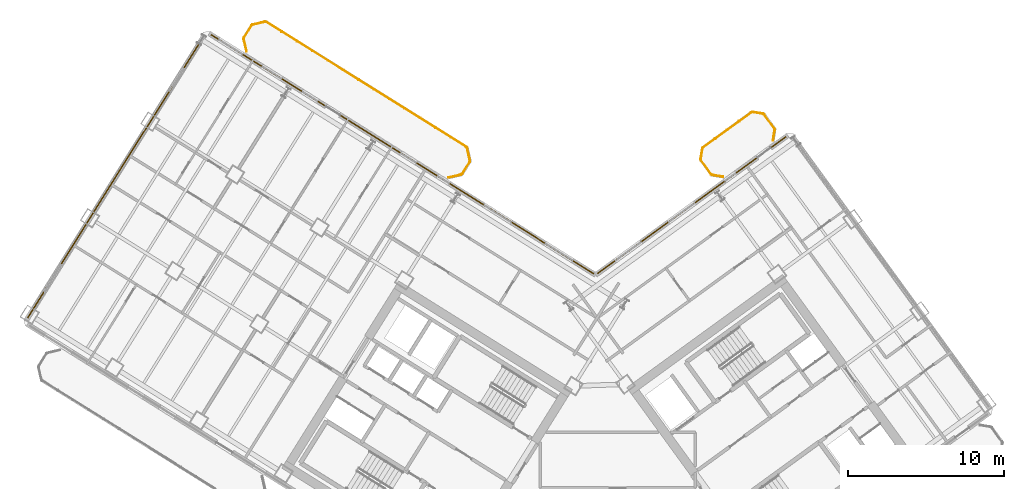
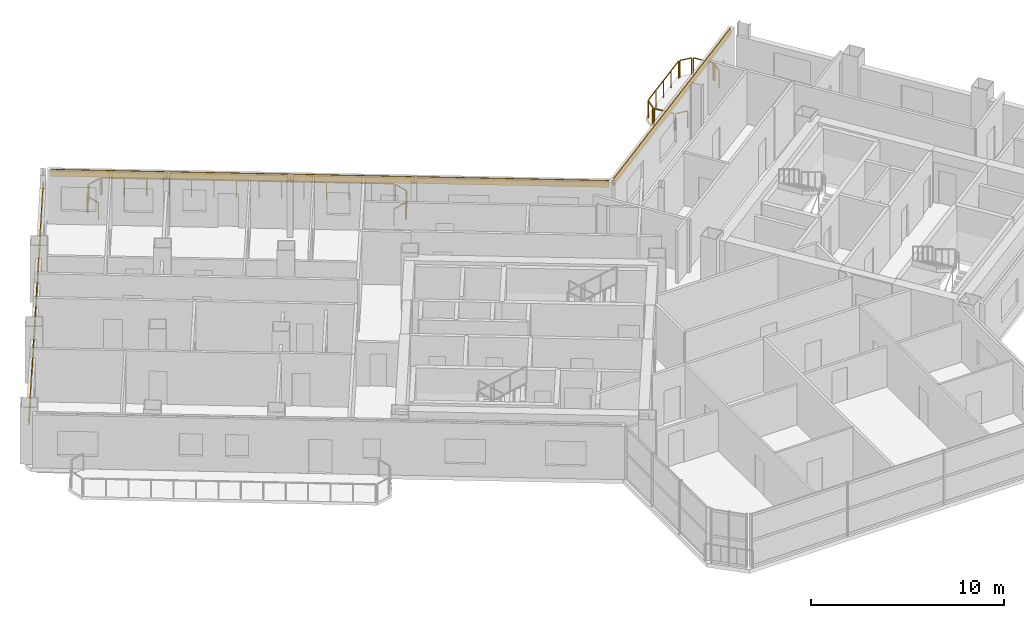
# One storey, part 21 of 21: 14 railings, 3 coverings.
"""IFC4 building model written with IfcOpenShell, lengths in metres."""

from ifc_helpers import new_model, si_unit, direction, frame, origin, origin_2d, place, context, subcontext, project, spatial, rectangle, extrude, source, transform, mapped, material, layer, layer_set, type_object, element, save


model = new_model("IFC4")

# Units and contexts
model_context = context("Model", 3, precision=1e-05, world=origin(), true_north=direction((0.0, 1.0)))
body_context = subcontext(model_context, "Body", "Model", "MODEL_VIEW")
ifc_project = project(units=[si_unit("LENGTHUNIT", "METRE"), si_unit("AREAUNIT", "SQUARE_METRE"), si_unit("VOLUMEUNIT", "CUBIC_METRE"), si_unit("PLANEANGLEUNIT", "RADIAN"), si_unit("MASSUNIT", "GRAM", prefix="KILO")], contexts=[model_context])

# Site, building, storey
site_placement = place(None, origin())
site = spatial("IfcSite", under=ifc_project, at=site_placement, CompositionType="ELEMENT")
building_placement = place(site_placement, origin())
building = spatial("IfcBuilding", under=site, at=building_placement, Name="Tlacorven Tower", CompositionType="ELEMENT")
storey_placement = place(building_placement, frame((0.0, 0.0, 119.699951171875)))
storey = spatial("IfcBuildingStorey", under=building, at=storey_placement, Name="L30", CompositionType="ELEMENT", Elevation=119.699951171875)

# Railings
ifc_material_1 = material(Name="Aluminium and painted steel balustrade", Category="steel")
railing_type = type_object("IfcRailingType", Name="RL-BAL-1100", PredefinedType="BALUSTRADE", material=ifc_material_1)
shared_shape_1 = source(origin(), body_context, "Body", "SweptSolid", [
    extrude(rectangle(XDim=0.048095703125, YDim=0.048095703125, at=origin_2d()), frame((0.0, 0.0, 1.076171875), z_axis=(0.974345290916, 0.225058334816, 0.0), x_axis=(-0.225058334816, 0.974345290916, 0.0)), (0.0, 0.0, 1.0), 0.80712890625),
    extrude(rectangle(XDim=0.0419921875, YDim=0.0419921875, at=origin_2d()), origin(), (0.0, 0.0, 1.0), 1.052001953125),
    extrude(rectangle(XDim=0.0419921875, YDim=0.0419921875, at=origin_2d()), frame((0.786376953125, 0.181640625, 0.0)), (0.0, 0.0, 1.0), 1.052001953125),
])
railing_1_placement = place(storey_placement, frame((20.2138671875, 47.643798828125, 0.0)))
element("IfcRailing", 1, at=railing_1_placement, inside=storey, type_object=railing_type, Name="BAL-L30-W-IN Guard Railing 6", PredefinedType="BALUSTRADE", context=body_context, shape_type="MappedRepresentation", body=[
    mapped(shared_shape_1, transform((0.0, 0.0, 0.0), scale=1.0)),
])
shared_shape_2 = source(origin(), body_context, "Body", "SweptSolid", [
    extrude(rectangle(XDim=0.048095703125, YDim=0.048095703125, at=origin_2d()), frame((0.0, 0.0, 1.076171875), z_axis=(-0.987661653326, 0.156602868908, 0.0), x_axis=(-0.156602868908, -0.987661653326, 0.0)), (0.0, 0.0, 1.0), 0.665771484375),
    extrude(rectangle(XDim=0.0419921875, YDim=0.0419921875, at=origin_2d()), origin(), (0.0, 0.0, 1.0), 1.052001953125),
    extrude(rectangle(XDim=0.0419921875, YDim=0.0419921875, at=origin_2d()), frame((-0.657470703125, 0.104248046875, 0.0)), (0.0, 0.0, 1.0), 1.052001953125),
])
railing_2_placement = place(storey_placement, frame((50.359130859375, 37.891845703125, 0.0)))
element("IfcRailing", 2, at=railing_2_placement, inside=storey, type_object=railing_type, Name="BAL-L30-E-IN Guard Railing 1", PredefinedType="BALUSTRADE", context=body_context, shape_type="MappedRepresentation", body=[
    mapped(shared_shape_2, transform((0.0, 0.0, 0.0), scale=1.0)),
])
shared_shape_3 = source(origin(), body_context, "Body", "SweptSolid", [
    extrude(rectangle(XDim=0.048095703125, YDim=0.048095703125, at=origin_2d()), frame((0.0, 0.0, 1.076171875), z_axis=(0.156602868908, 0.987661653326, 0.0), x_axis=(-0.987661653326, 0.156602868908, 0.0)), (0.0, 0.0, 1.0), 0.665771484375),
    extrude(rectangle(XDim=0.0419921875, YDim=0.0419921875, at=origin_2d()), origin(), (0.0, 0.0, 1.0), 1.052001953125),
    extrude(rectangle(XDim=0.0419921875, YDim=0.0419921875, at=origin_2d()), frame((0.104248046875, 0.657470703125, 0.0)), (0.0, 0.0, 1.0), 1.052001953125),
])
railing_3_placement = place(storey_placement, frame((48.947509765625, 39.033935546875, 0.0)))
element("IfcRailing", 3, at=railing_3_placement, inside=storey, type_object=railing_type, Name="BAL-L30-E-IN Guard Railing 3", PredefinedType="BALUSTRADE", context=body_context, shape_type="MappedRepresentation", body=[
    mapped(shared_shape_3, transform((0.0, 0.0, 0.0), scale=1.0)),
])
shared_shape_4 = source(origin(), body_context, "Body", "SweptSolid", [
    extrude(rectangle(XDim=0.048095703125, YDim=0.048095703125, at=origin_2d()), frame((0.0, 0.0, 1.076171875), z_axis=(-0.156245081039, -0.987718317463, 0.0), x_axis=(0.987718317463, -0.156245081039, 0.0)), (0.0, 0.0, 1.0), 0.66552734375),
    extrude(rectangle(XDim=0.0419921875, YDim=0.0419921875, at=origin_2d()), origin(), (0.0, 0.0, 1.0), 1.052001953125),
    extrude(rectangle(XDim=0.0419921875, YDim=0.0419921875, at=origin_2d()), frame((-0.10400390625, -0.657470703125, 0.0)), (0.0, 0.0, 1.0), 1.052001953125),
])
railing_4_placement = place(storey_placement, frame((53.689453125, 40.893310546875, 0.0)))
element("IfcRailing", 4, at=railing_4_placement, inside=storey, type_object=railing_type, Name="BAL-L30-E-IN Guard Railing 7", PredefinedType="BALUSTRADE", context=body_context, shape_type="MappedRepresentation", body=[
    mapped(shared_shape_4, transform((0.0, 0.0, 0.0), scale=1.0)),
])

# Covering
ifc_material_2 = material(Name="Precast concrete C45/55", Category="concrete")
ifc_layer = layer(ifc_material_2, 0.06005859375)
ifc_layer_set = layer_set([ifc_layer], Name="Precast concrete C45/55")
covering_type = type_object("IfcCoveringType", Name="CV-CLD-TERC", PredefinedType="CLADDING", material=ifc_layer_set)
shared_shape_5 = source(origin(), body_context, "Body", "SweptSolid", [
    extrude(rectangle(XDim=21.287353515625, YDim=0.06005859375, at=origin_2d()), origin(), (0.0, 0.0, 1.0), 0.419921875),
])
covering_1_placement = place(storey_placement, frame((11.419677734375, 37.864013671875, 2.35498046875), z_axis=(0.0, 0.0, 1.0), x_axis=(0.529919147866, 0.848048168871, 0.0)))
element("IfcCovering", 5, at=covering_1_placement, inside=storey, type_object=covering_type, Name="L30 Masonry-Frame Spandrel Cladding 2", PredefinedType="CLADDING", context=body_context, shape_type="MappedRepresentation", body=[
    mapped(shared_shape_5, transform((0.0, 0.0, 0.0), scale=1.0)),
])

# Railings
shared_shape_6 = source(origin(), body_context, "Body", "SweptSolid", [
    extrude(rectangle(XDim=0.048095703125, YDim=0.048095703125, at=origin_2d()), frame((0.0, 0.0, 1.076171875), z_axis=(0.529998940003, 0.847998304005, 0.0), x_axis=(-0.847998304005, 0.529998940003, 0.0)), (0.0, 0.0, 1.0), 0.912109375),
    extrude(rectangle(XDim=0.0419921875, YDim=0.0419921875, at=origin_2d()), origin(), (0.0, 0.0, 1.0), 1.052001953125),
    extrude(rectangle(XDim=0.0419921875, YDim=0.0419921875, at=origin_2d()), frame((0.4833984375, 0.7734375, 0.0)), (0.0, 0.0, 1.0), 1.052001953125),
])
railing_5_placement = place(storey_placement, frame((19.6552734375, 46.816650390625, 0.0)))
element("IfcRailing", 6, at=railing_5_placement, inside=storey, type_object=railing_type, Name="BAL-L30-W-IN Guard Railing 5", PredefinedType="BALUSTRADE", context=body_context, shape_type="MappedRepresentation", body=[
    mapped(shared_shape_6, transform((0.0, 0.0, 0.0), scale=1.0)),
])
shared_shape_7 = source(origin(), body_context, "Body", "SweptSolid", [
    extrude(rectangle(XDim=0.048095703125, YDim=0.048095703125, at=origin_2d()), frame((0.0, 0.0, 1.076171875), z_axis=(0.224992020761, -0.974360606036, 0.0), x_axis=(0.974360606036, 0.224992020761, 0.0)), (0.0, 0.0, 1.0), 0.807373046875),
    extrude(rectangle(XDim=0.0419921875, YDim=0.0419921875, at=origin_2d()), origin(), (0.0, 0.0, 1.0), 1.052001953125),
    extrude(rectangle(XDim=0.0419921875, YDim=0.0419921875, at=origin_2d()), frame((0.181640625, -0.78662109375, 0.0)), (0.0, 0.0, 1.0), 1.052001953125),
])
railing_6_placement = place(storey_placement, frame((33.965087890625, 39.72412109375, 0.0)))
element("IfcRailing", 7, at=railing_6_placement, inside=storey, type_object=railing_type, Name="BAL-L30-W-IN Guard Railing 1", PredefinedType="BALUSTRADE", context=body_context, shape_type="MappedRepresentation", body=[
    mapped(shared_shape_7, transform((0.0, 0.0, 0.0), scale=1.0)),
])
shared_shape_8 = source(origin(), body_context, "Body", "SweptSolid", [
    extrude(rectangle(XDim=0.048095703125, YDim=0.048095703125, at=origin_2d()), frame((0.0, 0.0, 1.076171875), z_axis=(-0.529998940003, -0.847998304005, 0.0), x_axis=(0.847998304005, -0.529998940003, 0.0)), (0.0, 0.0, 1.0), 0.912109375),
    extrude(rectangle(XDim=0.0419921875, YDim=0.0419921875, at=origin_2d()), origin(), (0.0, 0.0, 1.0), 1.052001953125),
    extrude(rectangle(XDim=0.0419921875, YDim=0.0419921875, at=origin_2d()), frame((-0.4833984375, -0.7734375, 0.0)), (0.0, 0.0, 1.0), 1.052001953125),
])
railing_7_placement = place(storey_placement, frame((34.131591796875, 38.846435546875, 0.0)))
element("IfcRailing", 8, at=railing_7_placement, inside=storey, type_object=railing_type, Name="BAL-L30-W-IN Guard Railing 2", PredefinedType="BALUSTRADE", context=body_context, shape_type="MappedRepresentation", body=[
    mapped(shared_shape_8, transform((0.0, 0.0, 0.0), scale=1.0)),
])
shared_shape_9 = source(origin(), body_context, "Body", "SweptSolid", [
    extrude(rectangle(XDim=0.048095703125, YDim=0.048095703125, at=origin_2d()), frame((0.0, 0.0, 1.076171875), z_axis=(-0.974360606036, -0.224992020761, 0.0), x_axis=(0.224992020761, -0.974360606036, 0.0)), (0.0, 0.0, 1.0), 0.807373046875),
    extrude(rectangle(XDim=0.0419921875, YDim=0.0419921875, at=origin_2d()), origin(), (0.0, 0.0, 1.0), 1.052001953125),
    extrude(rectangle(XDim=0.0419921875, YDim=0.0419921875, at=origin_2d()), frame((-0.78662109375, -0.181640625, 0.0)), (0.0, 0.0, 1.0), 1.052001953125),
])
railing_8_placement = place(storey_placement, frame((33.572998046875, 38.019287109375, 0.0)))
element("IfcRailing", 9, at=railing_8_placement, inside=storey, type_object=railing_type, Name="BAL-L30-W-IN Guard Railing 3", PredefinedType="BALUSTRADE", context=body_context, shape_type="MappedRepresentation", body=[
    mapped(shared_shape_9, transform((0.0, 0.0, 0.0), scale=1.0)),
])
shared_shape_10 = source(origin(), body_context, "Body", "SweptSolid", [
    extrude(rectangle(XDim=0.048095703125, YDim=0.048095703125, at=origin_2d()), frame((0.0, 0.0, 1.076171875), z_axis=(-0.22470489119, 0.974426863277, 0.0), x_axis=(-0.974426863277, -0.22470489119, 0.0)), (0.0, 0.0, 1.0), 0.807373046875),
    extrude(rectangle(XDim=0.0419921875, YDim=0.0419921875, at=origin_2d()), origin(), (0.0, 0.0, 1.0), 1.052001953125),
    extrude(rectangle(XDim=0.0419921875, YDim=0.0419921875, at=origin_2d()), frame((-0.181396484375, 0.78662109375, 0.0)), (0.0, 0.0, 1.0), 1.052001953125),
])
railing_9_placement = place(storey_placement, frame((19.821533203125, 45.93896484375, 0.0)))
element("IfcRailing", 10, at=railing_9_placement, inside=storey, type_object=railing_type, Name="BAL-L30-W-IN Guard Railing 4", PredefinedType="BALUSTRADE", context=body_context, shape_type="MappedRepresentation", body=[
    mapped(shared_shape_10, transform((0.0, 0.0, 0.0), scale=1.0)),
])
shared_shape_11 = source(origin(), body_context, "Body", "SweptSolid", [
    extrude(rectangle(XDim=0.048095703125, YDim=0.048095703125, at=origin_2d()), frame((0.0, 0.0, 1.076171875), z_axis=(0.848051830527, -0.529913287944, 0.0), x_axis=(0.529913287944, 0.848051830527, 0.0)), (0.0, 0.0, 1.0), 15.1171875),
    extrude(rectangle(XDim=0.0419921875, YDim=0.0419921875, at=origin_2d()), origin(), (0.0, 0.0, 1.0), 1.052001953125),
    extrude(rectangle(XDim=0.0419921875, YDim=0.0419921875, at=origin_2d()), frame((0.986083984375, -0.6162109375, 0.0)), (0.0, 0.0, 1.0), 1.052001953125),
    extrude(rectangle(XDim=0.0419921875, YDim=0.0419921875, at=origin_2d()), frame((1.972412109375, -1.232421875, 0.0)), (0.0, 0.0, 1.0), 1.052001953125),
    extrude(rectangle(XDim=0.0419921875, YDim=0.0419921875, at=origin_2d()), frame((2.95849609375, -1.8486328125, 0.0)), (0.0, 0.0, 1.0), 1.052001953125),
    extrude(rectangle(XDim=0.0419921875, YDim=0.0419921875, at=origin_2d()), frame((3.944580078125, -2.46484375, 0.0)), (0.0, 0.0, 1.0), 1.052001953125),
    extrude(rectangle(XDim=0.0419921875, YDim=0.0419921875, at=origin_2d()), frame((4.930908203125, -3.0810546875, 0.0)), (0.0, 0.0, 1.0), 1.052001953125),
    extrude(rectangle(XDim=0.0419921875, YDim=0.0419921875, at=origin_2d()), frame((5.9169921875, -3.697265625, 0.0)), (0.0, 0.0, 1.0), 1.052001953125),
    extrude(rectangle(XDim=0.0419921875, YDim=0.0419921875, at=origin_2d()), frame((6.903076171875, -4.3134765625, 0.0)), (0.0, 0.0, 1.0), 1.052001953125),
    extrude(rectangle(XDim=0.0419921875, YDim=0.0419921875, at=origin_2d()), frame((7.88916015625, -4.9296875, 0.0)), (0.0, 0.0, 1.0), 1.052001953125),
    extrude(rectangle(XDim=0.0419921875, YDim=0.0419921875, at=origin_2d()), frame((8.87548828125, -5.5458984375, 0.0)), (0.0, 0.0, 1.0), 1.052001953125),
    extrude(rectangle(XDim=0.0419921875, YDim=0.0419921875, at=origin_2d()), frame((9.861572265625, -6.162109375, 0.0)), (0.0, 0.0, 1.0), 1.052001953125),
    extrude(rectangle(XDim=0.0419921875, YDim=0.0419921875, at=origin_2d()), frame((10.84765625, -6.7783203125, 0.0)), (0.0, 0.0, 1.0), 1.052001953125),
    extrude(rectangle(XDim=0.0419921875, YDim=0.0419921875, at=origin_2d()), frame((11.833984375, -7.39453125, 0.0)), (0.0, 0.0, 1.0), 1.052001953125),
    extrude(rectangle(XDim=0.0419921875, YDim=0.0419921875, at=origin_2d()), frame((12.820068359375, -8.0107421875, 0.0)), (0.0, 0.0, 1.0), 1.052001953125),
])
railing_10_placement = place(storey_placement, frame((21.091552734375, 47.81005859375, 0.0)))
element("IfcRailing", 11, at=railing_10_placement, inside=storey, type_object=railing_type, Name="BAL-L30-W-IN Guard Railing 7", PredefinedType="BALUSTRADE", context=body_context, shape_type="MappedRepresentation", body=[
    mapped(shared_shape_11, transform((0.0, 0.0, 0.0), scale=1.0)),
])
shared_shape_12 = source(origin(), body_context, "Body", "SweptSolid", [
    extrude(rectangle(XDim=0.048095703125, YDim=0.048095703125, at=origin_2d()), frame((0.0, 0.0, 1.076171875), z_axis=(-0.587636431696, 0.809125097957, 0.0), x_axis=(-0.809125097957, -0.587636431696, 0.0)), (0.0, 0.0, 1.0), 1.1123046875),
    extrude(rectangle(XDim=0.0419921875, YDim=0.0419921875, at=origin_2d()), origin(), (0.0, 0.0, 1.0), 1.052001953125),
    extrude(rectangle(XDim=0.0419921875, YDim=0.0419921875, at=origin_2d()), frame((-0.653564453125, 0.89990234375, 0.0)), (0.0, 0.0, 1.0), 1.052001953125),
])
railing_11_placement = place(storey_placement, frame((49.622802734375, 38.044189453125, 0.0)))
element("IfcRailing", 12, at=railing_11_placement, inside=storey, type_object=railing_type, Name="BAL-L30-E-IN Guard Railing 2", PredefinedType="BALUSTRADE", context=body_context, shape_type="MappedRepresentation", body=[
    mapped(shared_shape_12, transform((0.0, 0.0, 0.0), scale=1.0)),
])
shared_shape_13 = source(origin(), body_context, "Body", "SweptSolid", [
    extrude(rectangle(XDim=0.048095703125, YDim=0.048095703125, at=origin_2d()), frame((0.0, 0.0, 1.076171875), z_axis=(0.809018102573, 0.587783726986, 0.0), x_axis=(-0.587783726986, 0.809018102573, 0.0)), (0.0, 0.0, 1.0), 3.817138671875),
    extrude(rectangle(XDim=0.0419921875, YDim=0.0419921875, at=origin_2d()), origin(), (0.0, 0.0, 1.0), 1.052001953125),
    extrude(rectangle(XDim=0.0419921875, YDim=0.0419921875, at=origin_2d()), frame((0.77197265625, 0.56103515625, 0.0)), (0.0, 0.0, 1.0), 1.052001953125),
    extrude(rectangle(XDim=0.0419921875, YDim=0.0419921875, at=origin_2d()), frame((1.5439453125, 1.121826171875, 0.0)), (0.0, 0.0, 1.0), 1.052001953125),
    extrude(rectangle(XDim=0.0419921875, YDim=0.0419921875, at=origin_2d()), frame((2.316162109375, 1.6826171875, 0.0)), (0.0, 0.0, 1.0), 1.052001953125),
    extrude(rectangle(XDim=0.0419921875, YDim=0.0419921875, at=origin_2d()), frame((3.088134765625, 2.24365234375, 0.0)), (0.0, 0.0, 1.0), 1.052001953125),
])
railing_12_placement = place(storey_placement, frame((49.10009765625, 39.77001953125, 0.0)))
element("IfcRailing", 13, at=railing_12_placement, inside=storey, type_object=railing_type, Name="BAL-L30-E-IN Guard Railing 4", PredefinedType="BALUSTRADE", context=body_context, shape_type="MappedRepresentation", body=[
    mapped(shared_shape_13, transform((0.0, 0.0, 0.0), scale=1.0)),
])
shared_shape_14 = source(origin(), body_context, "Body", "SweptSolid", [
    extrude(rectangle(XDim=0.048095703125, YDim=0.048095703125, at=origin_2d()), frame((0.0, 0.0, 1.076171875), z_axis=(0.987661653326, -0.156602868908, 0.0), x_axis=(0.156602868908, 0.987661653326, 0.0)), (0.0, 0.0, 1.0), 0.665771484375),
    extrude(rectangle(XDim=0.0419921875, YDim=0.0419921875, at=origin_2d()), origin(), (0.0, 0.0, 1.0), 1.052001953125),
    extrude(rectangle(XDim=0.0419921875, YDim=0.0419921875, at=origin_2d()), frame((0.657470703125, -0.104248046875, 0.0)), (0.0, 0.0, 1.0), 1.052001953125),
])
railing_13_placement = place(storey_placement, frame((52.278076171875, 42.035400390625, 0.0)))
element("IfcRailing", 14, at=railing_13_placement, inside=storey, type_object=railing_type, Name="BAL-L30-E-IN Guard Railing 5", PredefinedType="BALUSTRADE", context=body_context, shape_type="MappedRepresentation", body=[
    mapped(shared_shape_14, transform((0.0, 0.0, 0.0), scale=1.0)),
])
shared_shape_15 = source(origin(), body_context, "Body", "SweptSolid", [
    extrude(rectangle(XDim=0.048095703125, YDim=0.048095703125, at=origin_2d()), frame((0.0, 0.0, 1.076171875), z_axis=(0.587780115446, -0.809020726488, 0.0), x_axis=(0.809020726488, 0.587780115446, 0.0)), (0.0, 0.0, 1.0), 1.1123046875),
    extrude(rectangle(XDim=0.0419921875, YDim=0.0419921875, at=origin_2d()), origin(), (0.0, 0.0, 1.0), 1.052001953125),
    extrude(rectangle(XDim=0.0419921875, YDim=0.0419921875, at=origin_2d()), frame((0.65380859375, -0.89990234375, 0.0)), (0.0, 0.0, 1.0), 1.052001953125),
])
railing_14_placement = place(storey_placement, frame((53.01416015625, 41.883056640625, 0.0)))
element("IfcRailing", 15, at=railing_14_placement, inside=storey, type_object=railing_type, Name="BAL-L30-E-IN Guard Railing 6", PredefinedType="BALUSTRADE", context=body_context, shape_type="MappedRepresentation", body=[
    mapped(shared_shape_15, transform((0.0, 0.0, 0.0), scale=1.0)),
])

# Coverings
shared_shape_16 = source(origin(), body_context, "Body", "SweptSolid", [
    extrude(rectangle(XDim=28.923095703125, YDim=0.06005859375, at=origin_2d()), origin(), (0.0, 0.0, 1.0), 0.419921875),
])
covering_2_placement = place(storey_placement, frame((29.815185546875, 39.34033203125, 2.93017578125), z_axis=(0.0, 0.0, 1.0), x_axis=(0.848048220257, -0.52991906563, 0.0)))
element("IfcCovering", 16, at=covering_2_placement, inside=storey, type_object=covering_type, Name="L30 Masonry-Frame Spandrel Cladding 3", PredefinedType="CLADDING", context=body_context, shape_type="MappedRepresentation", body=[
    mapped(shared_shape_16, transform((0.0, 0.0, 0.0), scale=1.0)),
])
shared_shape_17 = source(origin(), body_context, "Body", "SweptSolid", [
    extrude(rectangle(XDim=14.923095703125, YDim=0.06005859375, at=origin_2d()), origin(), (0.0, 0.0, 1.0), 0.419921875),
])
covering_3_placement = place(storey_placement, frame((48.3642578125, 36.0712890625, 2.93017578125), z_axis=(0.0, 0.0, 1.0), x_axis=(0.809016703631, 0.587785652468, 0.0)))
element("IfcCovering", 17, at=covering_3_placement, inside=storey, type_object=covering_type, Name="L30 Masonry-Frame Spandrel Cladding 4", PredefinedType="CLADDING", context=body_context, shape_type="MappedRepresentation", body=[
    mapped(shared_shape_17, transform((0.0, 0.0, 0.0), scale=1.0)),
])

save(model, "model.ifc")
